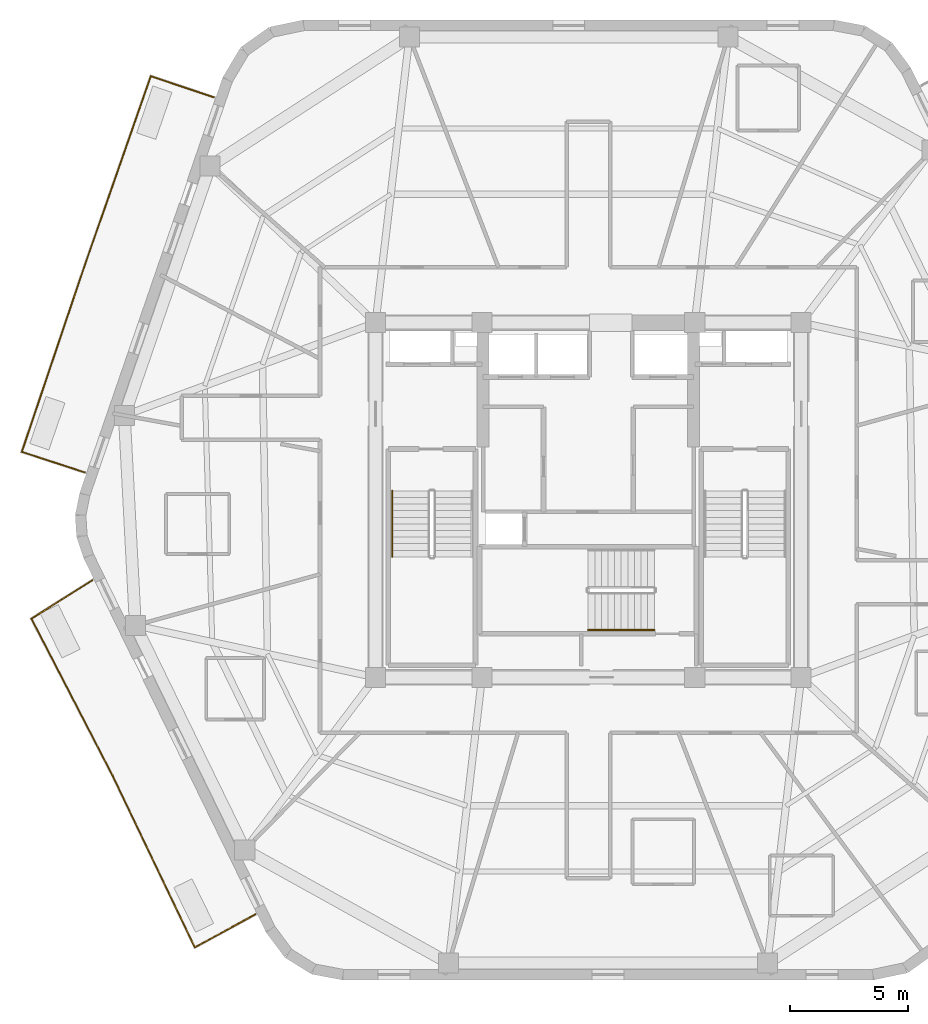
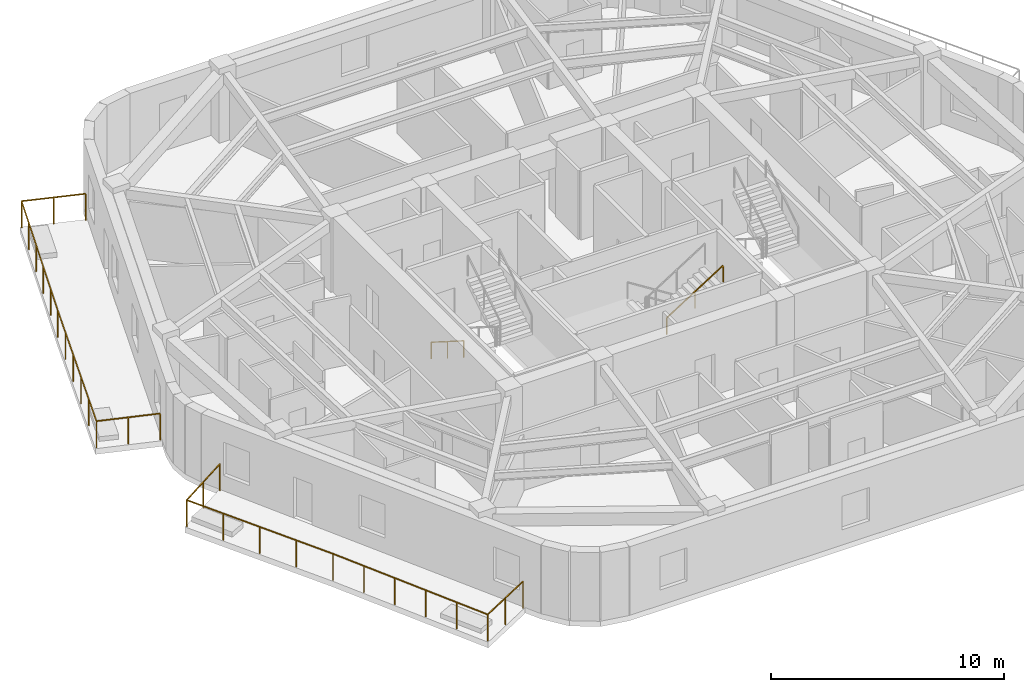
# One storey, part 7 of 9: 4 railings.
"""IFC4 building model written with IfcOpenShell, lengths in metres."""

from ifc_helpers import new_model, si_unit, direction, frame, origin, origin_2d, place, context, subcontext, project, spatial, rectangle, extrude, material, layer, layer_set, type_object, element, save


model = new_model("IFC4")

# Units and contexts
model_context = context("Model", 3, precision=1e-05, world=origin(), true_north=direction((0.0, 1.0)))
body_context = subcontext(model_context, "Body", "Model", "MODEL_VIEW")
ifc_project = project(units=[si_unit("LENGTHUNIT", "METRE"), si_unit("AREAUNIT", "SQUARE_METRE"), si_unit("VOLUMEUNIT", "CUBIC_METRE"), si_unit("PLANEANGLEUNIT", "RADIAN"), si_unit("MASSUNIT", "GRAM", prefix="KILO")], contexts=[model_context])

# Site, building, storey
site_placement = place(None, origin())
site = spatial("IfcSite", under=ifc_project, at=site_placement, CompositionType="ELEMENT")
building_placement = place(site_placement, origin())
building = spatial("IfcBuilding", under=site, at=building_placement, Name="Kilnhurst Terrace Hotel", CompositionType="ELEMENT")
storey_placement = place(building_placement, frame((0.0, 0.0, 273.0)))
storey = spatial("IfcBuildingStorey", under=building, at=storey_placement, Name="L68", CompositionType="ELEMENT", Elevation=273.0)

# Railings
ifc_material_1 = material(Name="Laminated SentryGlas and Stainless Steel AISI 316L Balustrade", Category="steel")
ifc_layer_1 = layer(ifc_material_1, 0.070068359375, Name="Laminated SentryGlas and Stainless Steel AISI 316L Balustrade")
ifc_layer_set_1 = layer_set([ifc_layer_1], Name="Laminated SentryGlas and Stainless Steel AISI 316L Balustrade")
railing_type_1 = type_object("IfcRailingType", Name="RLG-BAL-1420", PredefinedType="BALUSTRADE", material=ifc_layer_set_1)
railing_1_placement = place(storey_placement, frame((-21.298828125, 1.166748046875, 0.0)))
element("IfcRailing", 1, at=railing_1_placement, inside=storey, type_object=railing_type_1, Name="L68 Exterior Terrace Guardrail BAL-L2A.1", PredefinedType="BALUSTRADE", context=body_context, shape_type="SweptSolid", body=[
    extrude(rectangle(XDim=0.048095703125, YDim=0.048095703125, at=origin_2d()), frame((0.0, 0.0, 1.39599609375), z_axis=(-0.950394786916, 0.311046216827, 0.0), x_axis=(-0.311046216827, -0.950394786916, 0.0)), (0.0, 0.0, 1.0), 2.80126953125),
    extrude(rectangle(XDim=0.048095703125, YDim=0.048095703125, at=origin_2d()), frame((-2.662353515625, 0.871337890625, 1.39599609375), z_axis=(0.319895813217, 0.94745272636, 0.0), x_axis=(-0.94745272636, 0.319895813217, 0.0)), (0.0, 0.0, 1.0), 8.44091796875),
    extrude(rectangle(XDim=0.048095703125, YDim=0.048095703125, at=origin_2d()), frame((0.037841796875, 8.86865234375, 1.39599609375), z_axis=(0.329893619994, 0.944018113962, 0.0), x_axis=(-0.944018113962, 0.329893619994, 0.0)), (0.0, 0.0, 1.0), 8.356689453125),
    extrude(rectangle(XDim=0.048095703125, YDim=0.048095703125, at=origin_2d()), frame((2.794677734375, 16.757568359375, 1.39599609375), z_axis=(0.948082201611, -0.318025374757, 0.0), x_axis=(0.318025374757, 0.948082201611, 0.0)), (0.0, 0.0, 1.0), 2.810546875),
    extrude(rectangle(XDim=0.0419921875, YDim=0.0419921875, at=origin_2d()), origin(), (0.0, 0.0, 1.0), 1.371826171875),
    extrude(rectangle(XDim=0.0419921875, YDim=0.0419921875, at=origin_2d()), frame((-1.3310546875, 0.435546875, 0.0)), (0.0, 0.0, 1.0), 1.371826171875),
    extrude(rectangle(XDim=0.0419921875, YDim=0.0419921875, at=origin_2d()), frame((-2.662353515625, 0.871337890625, 0.0)), (0.0, 0.0, 1.0), 1.371826171875),
    extrude(rectangle(XDim=0.0419921875, YDim=0.0419921875, at=origin_2d()), frame((-2.122314453125, 2.470703125, 0.0)), (0.0, 0.0, 1.0), 1.371826171875),
    extrude(rectangle(XDim=0.0419921875, YDim=0.0419921875, at=origin_2d()), frame((-1.582275390625, 4.0703125, 0.0)), (0.0, 0.0, 1.0), 1.371826171875),
    extrude(rectangle(XDim=0.0419921875, YDim=0.0419921875, at=origin_2d()), frame((-1.042236328125, 5.669677734375, 0.0)), (0.0, 0.0, 1.0), 1.371826171875),
    extrude(rectangle(XDim=0.0419921875, YDim=0.0419921875, at=origin_2d()), frame((-0.502197265625, 7.269287109375, 0.0)), (0.0, 0.0, 1.0), 1.371826171875),
    extrude(rectangle(XDim=0.0419921875, YDim=0.0419921875, at=origin_2d()), frame((0.037841796875, 8.86865234375, 0.0)), (0.0, 0.0, 1.0), 1.371826171875),
    extrude(rectangle(XDim=0.0419921875, YDim=0.0419921875, at=origin_2d()), frame((0.589111328125, 10.446533203125, 0.0)), (0.0, 0.0, 1.0), 1.371826171875),
    extrude(rectangle(XDim=0.0419921875, YDim=0.0419921875, at=origin_2d()), frame((1.140625, 12.024169921875, 0.0)), (0.0, 0.0, 1.0), 1.371826171875),
    extrude(rectangle(XDim=0.0419921875, YDim=0.0419921875, at=origin_2d()), frame((1.69189453125, 13.60205078125, 0.0)), (0.0, 0.0, 1.0), 1.371826171875),
    extrude(rectangle(XDim=0.0419921875, YDim=0.0419921875, at=origin_2d()), frame((2.243408203125, 15.1796875, 0.0)), (0.0, 0.0, 1.0), 1.371826171875),
    extrude(rectangle(XDim=0.0419921875, YDim=0.0419921875, at=origin_2d()), frame((2.794677734375, 16.757568359375, 0.0)), (0.0, 0.0, 1.0), 1.371826171875),
    extrude(rectangle(XDim=0.0419921875, YDim=0.0419921875, at=origin_2d()), frame((4.126953125, 16.310546875, 0.0)), (0.0, 0.0, 1.0), 1.371826171875),
    extrude(rectangle(XDim=0.0419921875, YDim=0.0419921875, at=origin_2d()), frame((5.459228515625, 15.86376953125, 0.0)), (0.0, 0.0, 1.0), 1.371826171875),
])
railing_2_placement = place(storey_placement, frame((-14.089599609375, -17.52880859375, 0.0)))
element("IfcRailing", 2, at=railing_2_placement, inside=storey, type_object=railing_type_1, Name="L68 Exterior Terrace Guardrail BAL-L2B.1", PredefinedType="BALUSTRADE", context=body_context, shape_type="SweptSolid", body=[
    extrude(rectangle(XDim=0.048095703125, YDim=0.048095703125, at=origin_2d()), frame((0.0, 0.0, 1.39599609375), z_axis=(-0.878504936271, -0.477733269667, 0.0), x_axis=(0.477733269667, -0.878504936271, 0.0)), (0.0, 0.0, 1.0), 2.90576171875),
    extrude(rectangle(XDim=0.048095703125, YDim=0.048095703125, at=origin_2d()), frame((-2.552734375, -1.38818359375, 1.39599609375), z_axis=(-0.432219770894, 0.901768301532, 0.0), x_axis=(-0.901768301532, -0.432219770894, 0.0)), (0.0, 0.0, 1.0), 8.0576171875),
    extrude(rectangle(XDim=0.048095703125, YDim=0.048095703125, at=origin_2d()), frame((-6.035400390625, 5.8779296875, 1.39599609375), z_axis=(-0.496138938357, 0.868243142124, 0.0), x_axis=(-0.868243142124, -0.496138938357, 0.0)), (0.0, 0.0, 1.0), 0.001953125),
    extrude(rectangle(XDim=0.048095703125, YDim=0.048095703125, at=origin_2d()), frame((-6.036376953125, 5.879638671875, 1.39599609375), z_axis=(-0.459705000347, 0.888071682161, 0.0), x_axis=(-0.888071682161, -0.459705000347, 0.0)), (0.0, 0.0, 1.0), 7.46337890625),
    extrude(rectangle(XDim=0.048095703125, YDim=0.048095703125, at=origin_2d()), frame((-9.46728515625, 12.507568359375, 1.39599609375), z_axis=(0.845686755454, 0.533679596434, 0.0), x_axis=(-0.533679596434, 0.845686755454, 0.0)), (0.0, 0.0, 1.0), 3.048583984375),
    extrude(rectangle(XDim=0.0419921875, YDim=0.0419921875, at=origin_2d()), origin(), (0.0, 0.0, 1.0), 1.371826171875),
    extrude(rectangle(XDim=0.0419921875, YDim=0.0419921875, at=origin_2d()), frame((-1.2763671875, -0.694091796875, 0.0)), (0.0, 0.0, 1.0), 1.371826171875),
    extrude(rectangle(XDim=0.0419921875, YDim=0.0419921875, at=origin_2d()), frame((-2.552734375, -1.38818359375, 0.0)), (0.0, 0.0, 1.0), 1.371826171875),
    extrude(rectangle(XDim=0.0419921875, YDim=0.0419921875, at=origin_2d()), frame((-3.249267578125, 0.06494140625, 0.0)), (0.0, 0.0, 1.0), 1.371826171875),
    extrude(rectangle(XDim=0.0419921875, YDim=0.0419921875, at=origin_2d()), frame((-3.94580078125, 1.518310546875, 0.0)), (0.0, 0.0, 1.0), 1.371826171875),
    extrude(rectangle(XDim=0.0419921875, YDim=0.0419921875, at=origin_2d()), frame((-4.642333984375, 2.971435546875, 0.0)), (0.0, 0.0, 1.0), 1.371826171875),
    extrude(rectangle(XDim=0.0419921875, YDim=0.0419921875, at=origin_2d()), frame((-5.3388671875, 4.4248046875, 0.0)), (0.0, 0.0, 1.0), 1.371826171875),
    extrude(rectangle(XDim=0.0419921875, YDim=0.0419921875, at=origin_2d()), frame((-6.035400390625, 5.8779296875, 0.0)), (0.0, 0.0, 1.0), 1.371826171875),
    extrude(rectangle(XDim=0.0419921875, YDim=0.0419921875, at=origin_2d()), frame((-6.036376953125, 5.879638671875, 0.0)), (0.0, 0.0, 1.0), 1.371826171875),
    extrude(rectangle(XDim=0.0419921875, YDim=0.0419921875, at=origin_2d()), frame((-6.89404296875, 7.53662109375, 0.0)), (0.0, 0.0, 1.0), 1.371826171875),
    extrude(rectangle(XDim=0.0419921875, YDim=0.0419921875, at=origin_2d()), frame((-7.751953125, 9.193603515625, 0.0)), (0.0, 0.0, 1.0), 1.371826171875),
    extrude(rectangle(XDim=0.0419921875, YDim=0.0419921875, at=origin_2d()), frame((-8.609619140625, 10.8505859375, 0.0)), (0.0, 0.0, 1.0), 1.371826171875),
    extrude(rectangle(XDim=0.0419921875, YDim=0.0419921875, at=origin_2d()), frame((-9.46728515625, 12.507568359375, 0.0)), (0.0, 0.0, 1.0), 1.371826171875),
    extrude(rectangle(XDim=0.0419921875, YDim=0.0419921875, at=origin_2d()), frame((-8.17822265625, 13.321044921875, 0.0)), (0.0, 0.0, 1.0), 1.371826171875),
    extrude(rectangle(XDim=0.0419921875, YDim=0.0419921875, at=origin_2d()), frame((-6.88916015625, 14.134521484375, 0.0)), (0.0, 0.0, 1.0), 1.371826171875),
])
ifc_material_2 = material(Name="Brushed Stainless Steel AISI 304", Category="steel")
ifc_layer_2 = layer(ifc_material_2, 0.048095703125, Name="Brushed Stainless Steel AISI 304")
ifc_layer_set_2 = layer_set([ifc_layer_2], Name="Brushed Stainless Steel AISI 304")
railing_type_2 = type_object("IfcRailingType", Name="RLG-ST-HRL-900", PredefinedType="HANDRAIL", material=ifc_layer_set_2)
railing_3_placement = place(storey_placement, frame((-8.300048828125, 0.389892578125, 0.17724609375)))
element("IfcRailing", 3, at=railing_3_placement, inside=storey, type_object=railing_type_2, Name="L68 ST-1 stair handrail 1", PredefinedType="HANDRAIL", context=body_context, shape_type="SweptSolid", body=[
    extrude(rectangle(XDim=0.048095703125, YDim=0.048095703125, at=origin_2d()), frame((0.0, 0.0, 0.8759765625), z_axis=(0.0, -0.844887892834, 0.53494340686), x_axis=(1.0, 0.0, 0.0)), (0.0, 0.0, 1.0), 3.313720703125),
    extrude(rectangle(XDim=0.0419921875, YDim=0.0419921875, at=origin_2d()), origin(), (0.0, 0.0, 1.0), 0.851806640625),
    extrude(rectangle(XDim=0.0419921875, YDim=0.0419921875, at=origin_2d()), frame((0.0, -1.39990234375, 0.88623046875)), (0.0, 0.0, 1.0), 0.851806640625),
    extrude(rectangle(XDim=0.0419921875, YDim=0.0419921875, at=origin_2d()), frame((0.0, -2.7998046875, 1.772705078125)), (0.0, 0.0, 1.0), 0.851806640625),
])
railing_4_placement = place(storey_placement, frame((-0.010009765625, -5.5, 2.127197265625)))
element("IfcRailing", 4, at=railing_4_placement, inside=storey, type_object=railing_type_2, Name="L68 ST-3 stair handrail 2", PredefinedType="HANDRAIL", context=body_context, shape_type="SweptSolid", body=[
    extrude(rectangle(XDim=0.048095703125, YDim=0.048095703125, at=origin_2d()), frame((0.0, 0.0, 0.8759765625), z_axis=(0.844908973607, 0.0, 0.534910110503), x_axis=(0.0, 1.0, 0.0)), (0.0, 0.0, 1.0), 3.31396484375),
    extrude(rectangle(XDim=0.0419921875, YDim=0.0419921875, at=origin_2d()), origin(), (0.0, 0.0, 1.0), 0.851806640625),
    extrude(rectangle(XDim=0.0419921875, YDim=0.0419921875, at=origin_2d()), frame((1.39990234375, 0.0, 0.88623046875)), (0.0, 0.0, 1.0), 0.851806640625),
    extrude(rectangle(XDim=0.0419921875, YDim=0.0419921875, at=origin_2d()), frame((2.800048828125, 0.0, 1.772705078125)), (0.0, 0.0, 1.0), 0.851806640625),
])

save(model, "model.ifc")
